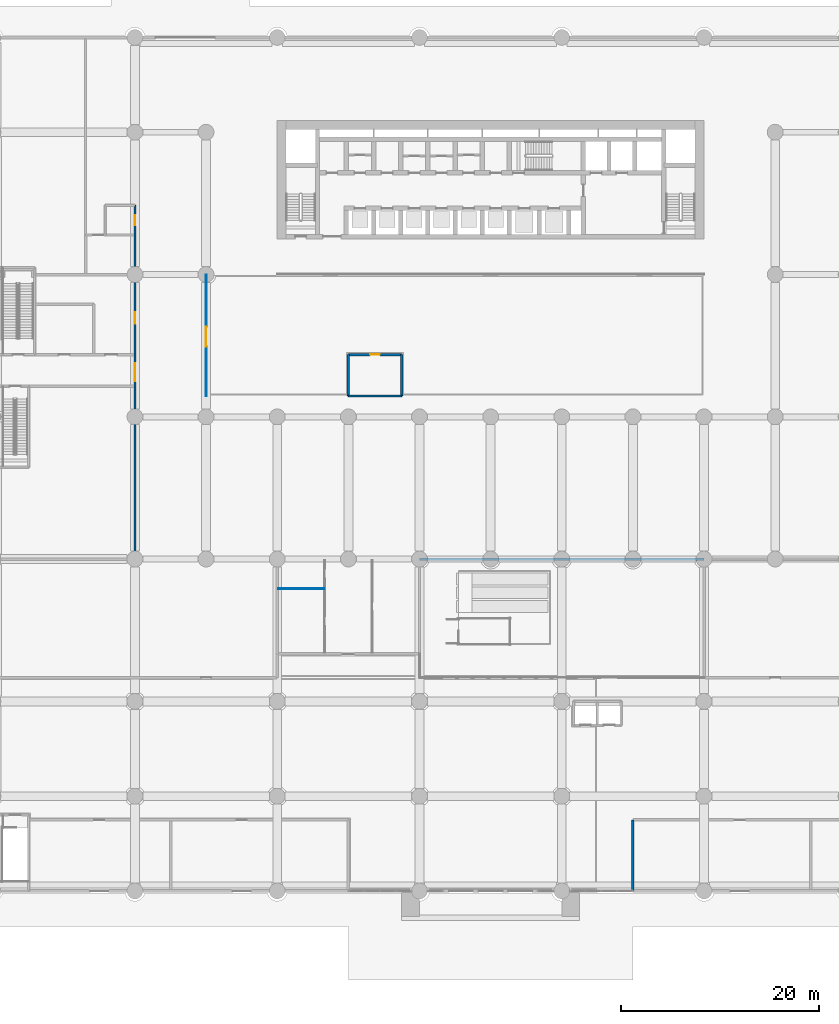
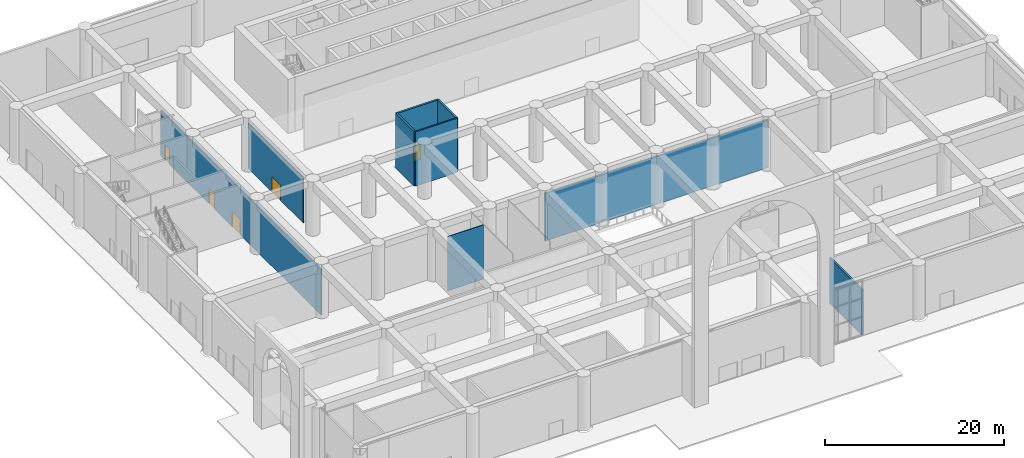
# One storey, part 15 of 32: 9 walls, 5 doors, 5 openings.
"""IFC4 building model written with IfcOpenShell, lengths in metres."""

from ifc_helpers import new_model, si_unit, direction, frame, frame_2d, origin, place, context, subcontext, project, spatial, rectangle, extrude, material, layer, layer_set, type_object, element, fill, save


model = new_model("IFC4")

# Units and contexts
model_context = context("Model", 3, precision=1e-05, world=origin(), true_north=direction((0.0, 1.0)))
body_context = subcontext(model_context, "Body", "Model", "MODEL_VIEW")
ifc_project = project(units=[si_unit("LENGTHUNIT", "METRE"), si_unit("AREAUNIT", "SQUARE_METRE"), si_unit("VOLUMEUNIT", "CUBIC_METRE"), si_unit("PLANEANGLEUNIT", "RADIAN"), si_unit("MASSUNIT", "GRAM", prefix="KILO")], contexts=[model_context])

# Site, building, storey
site_placement = place(None, origin())
site = spatial("IfcSite", under=ifc_project, at=site_placement, CompositionType="ELEMENT")
building_placement = place(site_placement, origin())
building = spatial("IfcBuilding", under=site, at=building_placement, Name="Saffron Iwan Residences", CompositionType="ELEMENT")
storey_placement = place(building_placement, origin())
storey = spatial("IfcBuildingStorey", under=building, at=storey_placement, Name="L00", CompositionType="ELEMENT", Elevation=0.0)

# Wall
ifc_material_1 = material(Name="Concrete blockwork", Category="masonry")
ifc_layer_1 = layer(ifc_material_1, 0.18994140625)
ifc_layer_set_1 = layer_set([ifc_layer_1], Name="Concrete blockwork")
wall_type_1 = type_object("IfcWallType", Name="Car park blockwork wall 190", PredefinedType="PARTITIONING", material=ifc_layer_set_1)
wall_1_placement = place(storey_placement, frame((36.0, 50.10009765625, 0.0), z_axis=(0.0, 0.0, 1.0), x_axis=(1.0, 0.0, 0.0)))
element("IfcWall", 1, at=wall_1_placement, inside=storey, type_object=wall_type_1, Name="W-L00-023", PredefinedType="PARTITIONING", context=body_context, shape_type="SweptSolid", body=[
    extrude(rectangle(XDim=5.39990234375, YDim=0.18994140625, at=frame_2d((2.699951171875, 0.0))), origin(), (0.0, 0.0, 1.0), 7.39990234375),
])

# Wall, openings, doors
wall_2_placement = place(storey_placement, frame((14.39990234375, 69.39990234375, 0.0), z_axis=(0.0, 0.0, 1.0), x_axis=(0.0, -1.0, 0.0)))
wall_2 = element("IfcWall", 2, at=wall_2_placement, inside=storey, type_object=wall_type_1, Name="W-L00-057", PredefinedType="PARTITIONING", context=body_context, shape_type="SweptSolid", body=[
    extrude(rectangle(XDim=35.7998046875, YDim=0.18994140625, at=frame_2d((17.89990234375, 0.0))), origin(), (0.0, 0.0, 1.0), 6.199951171875),
])
opening_1_placement = place(wall_2_placement, frame((16.0, 0.0, 0.0)))
opening_1 = element("IfcOpeningElement", 3, at=opening_1_placement, cuts=wall_2, Name="Opening L00.26", PredefinedType="OPENING", context=body_context, shape_type="SweptSolid", body=[
    extrude(rectangle(XDim=1.800048828125, YDim=2.10009765625, at=frame_2d((0.89990234375, 1.050048828125))), frame((0.0, 0.10498046875, 0.0), z_axis=(0.0, -1.0, 0.0), x_axis=(1.0, 0.0, 0.0)), (0.0, 0.0, 1.0), 0.2099609375),
])
opening_2_placement = place(wall_2_placement, frame((10.800048828125, 0.0, 0.0)))
opening_2 = element("IfcOpeningElement", 4, at=opening_2_placement, cuts=wall_2, Name="Opening L00.27", PredefinedType="OPENING", context=body_context, shape_type="SweptSolid", body=[
    extrude(rectangle(XDim=1.199951171875, YDim=2.10009765625, at=frame_2d((0.60009765625, 1.050048828125))), frame((0.0, 0.10498046875, 0.0), z_axis=(0.0, -1.0, 0.0), x_axis=(1.0, 0.0, 0.0)), (0.0, 0.0, 1.0), 0.2099609375),
])
opening_3_placement = place(wall_2_placement, frame((1.0, 0.0, 0.0)))
opening_3 = element("IfcOpeningElement", 5, at=opening_3_placement, cuts=wall_2, Name="Opening L00.31", PredefinedType="OPENING", context=body_context, shape_type="SweptSolid", body=[
    extrude(rectangle(XDim=1.0, YDim=2.10009765625, at=frame_2d((0.5, 1.050048828125))), frame((0.0, 0.10498046875, 0.0), z_axis=(0.0, -1.0, 0.0), x_axis=(1.0, 0.0, 0.0)), (0.0, 0.0, 1.0), 0.2099609375),
])
ifc_material_2 = material(Name="Timber", Category="wood")
door_type_1 = type_object("IfcDoorType", Name="Door 1000x2100", OperationType="NOTDEFINED", PredefinedType="DOOR", material=ifc_material_2)
door_1_placement = place(opening_3_placement, origin())
door_1 = element("IfcDoor", 6, at=door_1_placement, inside=storey, type_object=door_type_1, Name="D-L00-031", OperationType="SINGLE_SWING_LEFT", OverallHeight=2.10009765625, OverallWidth=1.0, PredefinedType="DOOR", context=body_context, shape_type="SweptSolid", body=[
    extrude(rectangle(XDim=1.0, YDim=2.10009765625, at=frame_2d((0.5, 1.050048828125))), frame((0.0, 0.02490234375, 0.0), z_axis=(0.0, -1.0, 0.0), x_axis=(1.0, 0.0, 0.0)), (0.0, 0.0, 1.0), 0.050048828125),
])
fill(opening_3, door_1)
door_type_2 = type_object("IfcDoorType", Name="Door 1200x2100", OperationType="NOTDEFINED", PredefinedType="DOOR", material=ifc_material_2)
door_2_placement = place(opening_2_placement, origin())
door_2 = element("IfcDoor", 7, at=door_2_placement, inside=storey, type_object=door_type_2, Name="D-L00-027", OperationType="SINGLE_SWING_LEFT", OverallHeight=2.10009765625, OverallWidth=1.199951171875, PredefinedType="DOOR", context=body_context, shape_type="SweptSolid", body=[
    extrude(rectangle(XDim=1.199951171875, YDim=2.10009765625, at=frame_2d((0.60009765625, 1.050048828125))), frame((0.0, 0.02490234375, 0.0), z_axis=(0.0, -1.0, 0.0), x_axis=(1.0, 0.0, 0.0)), (0.0, 0.0, 1.0), 0.050048828125),
])
fill(opening_2, door_2)
door_type_3 = type_object("IfcDoorType", Name="Door 1800x2100", OperationType="DOUBLE_DOOR_SINGLE_SWING", PredefinedType="DOOR", material=ifc_material_2)
door_3_placement = place(opening_1_placement, origin())
door_3 = element("IfcDoor", 8, at=door_3_placement, inside=storey, type_object=door_type_3, Name="D-L00-026", OperationType="DOUBLE_DOOR_SINGLE_SWING", OverallHeight=2.10009765625, OverallWidth=1.800048828125, PredefinedType="DOOR", context=body_context, shape_type="SweptSolid", body=[
    extrude(rectangle(XDim=1.800048828125, YDim=2.10009765625, at=frame_2d((0.89990234375, 1.050048828125))), frame((0.0, 0.02490234375, 0.0), z_axis=(0.0, -1.0, 0.0), x_axis=(1.0, 0.0, 0.0)), (0.0, 0.0, 1.0), 0.050048828125),
])
fill(opening_1, door_3)

# Wall
ifc_material_3 = material(Name="Concrete C40/50", Category="concrete")
ifc_layer_2 = layer(ifc_material_3, 0.25)
ifc_layer_set_2 = layer_set([ifc_layer_2], Name="Concrete C40/50")
wall_type_2 = type_object("IfcWallType", Name="Fire compartment wall 250", PredefinedType="SOLIDWALL", material=ifc_layer_set_2)
wall_3_placement = place(storey_placement, frame((43.199951171875, 33.60009765625, 0.0), z_axis=(0.0, 0.0, 1.0), x_axis=(1.0, 0.0, 0.0)))
element("IfcWall", 9, at=wall_3_placement, inside=storey, type_object=wall_type_2, Name="W-L00-020", PredefinedType="SOLIDWALL", context=body_context, shape_type="SweptSolid", body=[
    extrude(rectangle(XDim=28.800048828125, YDim=0.25, at=frame_2d((14.39990234375, 0.0))), origin(), (0.0, 0.0, 1.0), 6.5),
])

# Wall, opening, door
wall_4_placement = place(storey_placement, frame((36.0, 54.300048828125, 0.0), z_axis=(0.0, 0.0, 1.0), x_axis=(1.0, 0.0, 0.0)))
wall_4 = element("IfcWall", 10, at=wall_4_placement, inside=storey, type_object=wall_type_2, Name="W-L00-030", PredefinedType="SOLIDWALL", context=body_context, shape_type="SweptSolid", body=[
    extrude(rectangle(XDim=5.39990234375, YDim=0.25, at=frame_2d((2.699951171875, 0.0))), origin(), (0.0, 0.0, 1.0), 7.39990234375),
])
opening_4_placement = place(wall_4_placement, frame((2.199951171875, 0.0, 0.0)))
opening_4 = element("IfcOpeningElement", 11, at=opening_4_placement, cuts=wall_4, Name="Opening L00.29", PredefinedType="OPENING", context=body_context, shape_type="SweptSolid", body=[
    extrude(rectangle(XDim=1.0, YDim=2.10009765625, at=frame_2d((0.5, 1.050048828125))), frame((0.0, 0.135009765625, 0.0), z_axis=(0.0, -1.0, 0.0), x_axis=(1.0, 0.0, 0.0)), (0.0, 0.0, 1.0), 0.27001953125),
])
door_4_placement = place(opening_4_placement, origin())
door_4 = element("IfcDoor", 12, at=door_4_placement, inside=storey, type_object=door_type_1, Name="D-L00-029", OperationType="SINGLE_SWING_RIGHT", OverallHeight=2.10009765625, OverallWidth=1.0, PredefinedType="DOOR", context=body_context, shape_type="SweptSolid", body=[
    extrude(rectangle(XDim=1.0, YDim=2.10009765625, at=frame_2d((0.5, 1.050048828125))), frame((0.0, 0.02490234375, 0.0), z_axis=(0.0, -1.0, 0.0), x_axis=(1.0, 0.0, 0.0)), (0.0, 0.0, 1.0), 0.050048828125),
])
fill(opening_4, door_4)

# Walls
for number, where, z_axis, x_axis, name in (
    (13, (36.0, 50.10009765625, 0.0), (0.0, 0.0, 1.0), (0.0, 1.0, 0.0), "W-L00-063"),
    (14, (41.39990234375, 50.10009765625, 0.0), (0.0, 0.0, 1.0), (0.0, 1.0, 0.0), "W-L00-066"),
):
    element("IfcWall", number, at=place(storey_placement, frame(where, z_axis=z_axis, x_axis=x_axis)), inside=storey, type_object=wall_type_2, Name=name, PredefinedType="SOLIDWALL", context=body_context, shape_type="SweptSolid", body=[
        extrude(rectangle(XDim=4.199951171875, YDim=0.25, at=frame_2d((2.10009765625, 0.0))), origin(), (0.0, 0.0, 1.0), 7.39990234375),
    ])
wall_5_placement = place(storey_placement, frame((64.800048828125, 0.0, 0.0), z_axis=(0.0, 0.0, 1.0), x_axis=(0.0, 1.0, 0.0)))
element("IfcWall", 15, at=wall_5_placement, inside=storey, type_object=wall_type_2, Name="W-L00-072", PredefinedType="SOLIDWALL", context=body_context, shape_type="SweptSolid", body=[
    extrude(rectangle(XDim=7.199951171875, YDim=0.25, at=frame_2d((3.60009765625, 0.0))), origin(), (0.0, 0.0, 1.0), 6.199951171875),
])

# Wall, opening, door
ifc_material_4 = material(Name="Glass", Category="glass")
ifc_layer_3 = layer(ifc_material_4, 0.10009765625)
ifc_layer_set_3 = layer_set([ifc_layer_3], Name="Glass")
wall_type_3 = type_object("IfcWallType", Name="Glazed screen wall 100", PredefinedType="PARTITIONING", material=ifc_layer_set_3)
wall_6_placement = place(storey_placement, frame((21.60009765625, 50.10009765625, 0.0), z_axis=(0.0, 0.0, 1.0), x_axis=(0.0, 1.0, 0.0)))
wall_6 = element("IfcWall", 16, at=wall_6_placement, inside=storey, type_object=wall_type_3, Name="W-L00-059", PredefinedType="PARTITIONING", context=body_context, shape_type="SweptSolid", body=[
    extrude(rectangle(XDim=12.2998046875, YDim=0.10009765625, at=frame_2d((6.14990234375, 0.0))), origin(), (0.0, 0.0, 1.0), 6.199951171875),
])
opening_5_placement = place(wall_6_placement, frame((5.0, 0.0, 0.0)))
opening_5 = element("IfcOpeningElement", 17, at=opening_5_placement, cuts=wall_6, Name="Opening L00.28", PredefinedType="OPENING", context=body_context, shape_type="SweptSolid", body=[
    extrude(rectangle(XDim=2.0, YDim=2.10009765625, at=frame_2d((1.0, 1.050048828125))), frame((0.0, 0.06005859375, 0.0), z_axis=(0.0, -1.0, 0.0), x_axis=(1.0, 0.0, 0.0)), (0.0, 0.0, 1.0), 0.1201171875),
])
door_type_4 = type_object("IfcDoorType", Name="Glazed entrance door 2000", OperationType="DOUBLE_DOOR_SINGLE_SWING", PredefinedType="DOOR", material=ifc_material_4)
door_5_placement = place(opening_5_placement, origin())
door_5 = element("IfcDoor", 18, at=door_5_placement, inside=storey, type_object=door_type_4, Name="D-L00-028", OperationType="DOUBLE_DOOR_SINGLE_SWING", OverallHeight=2.10009765625, OverallWidth=2.0, PredefinedType="DOOR", context=body_context, shape_type="SweptSolid", body=[
    extrude(rectangle(XDim=2.0, YDim=2.10009765625, at=frame_2d((1.0, 1.050048828125))), frame((0.0, 0.02490234375, 0.0), z_axis=(0.0, -1.0, 0.0), x_axis=(1.0, 0.0, 0.0)), (0.0, 0.0, 1.0), 0.050048828125),
])
fill(opening_5, door_5)

# Wall
ifc_material_5 = material(Name="Plasterboard")
ifc_layer_4 = layer(ifc_material_5, 0.10009765625)
ifc_layer_set_4 = layer_set([ifc_layer_4], Name="Plasterboard")
wall_type_4 = type_object("IfcWallType", Name="Plasterboard partition 100", PredefinedType="PARTITIONING", material=ifc_layer_set_4)
wall_7_placement = place(storey_placement, frame((28.925048828125, 30.60009765625, 0.0), z_axis=(0.0, 0.0, 1.0), x_axis=(1.0, 0.0, 0.0)))
element("IfcWall", 19, at=wall_7_placement, inside=storey, type_object=wall_type_4, Name="W-L00-015", PredefinedType="PARTITIONING", context=body_context, shape_type="SweptSolid", body=[
    extrude(rectangle(XDim=4.625, YDim=0.10009765625, at=frame_2d((2.3125, 0.0))), origin(), (0.0, 0.0, 1.0), 7.39990234375),
])

save(model, "model.ifc")
